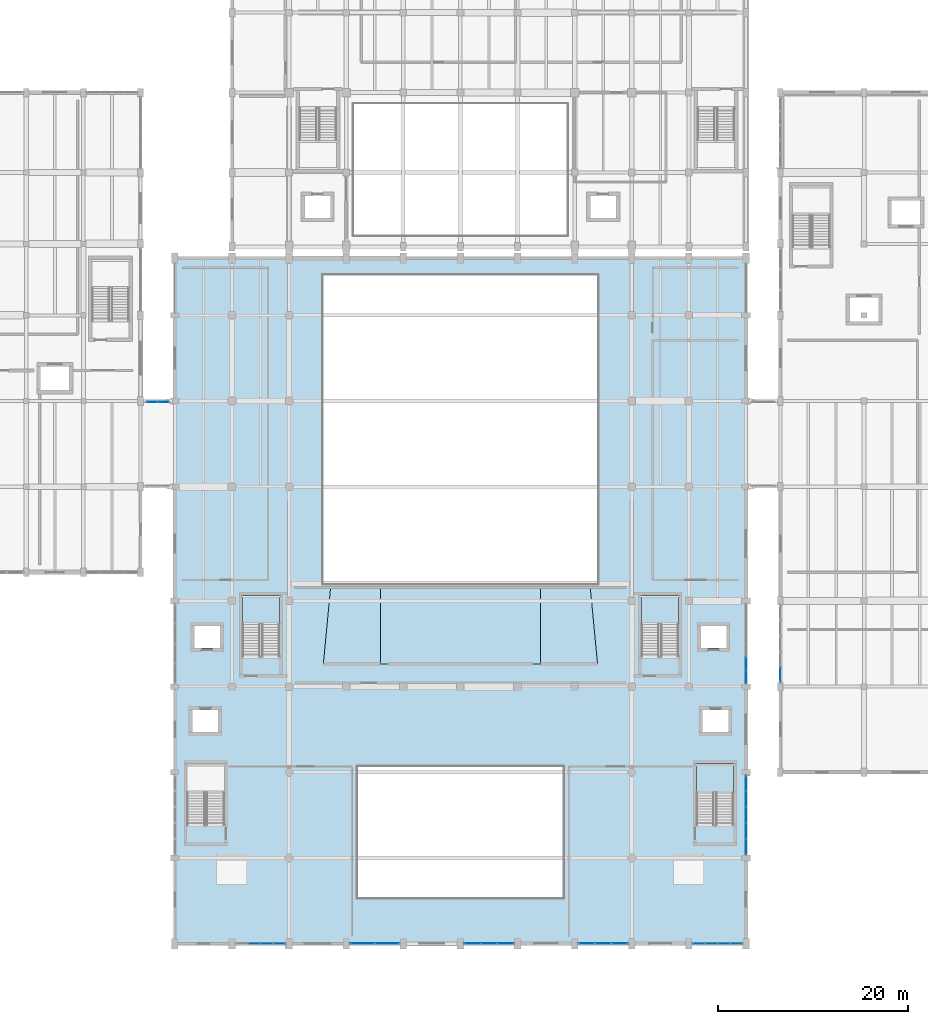
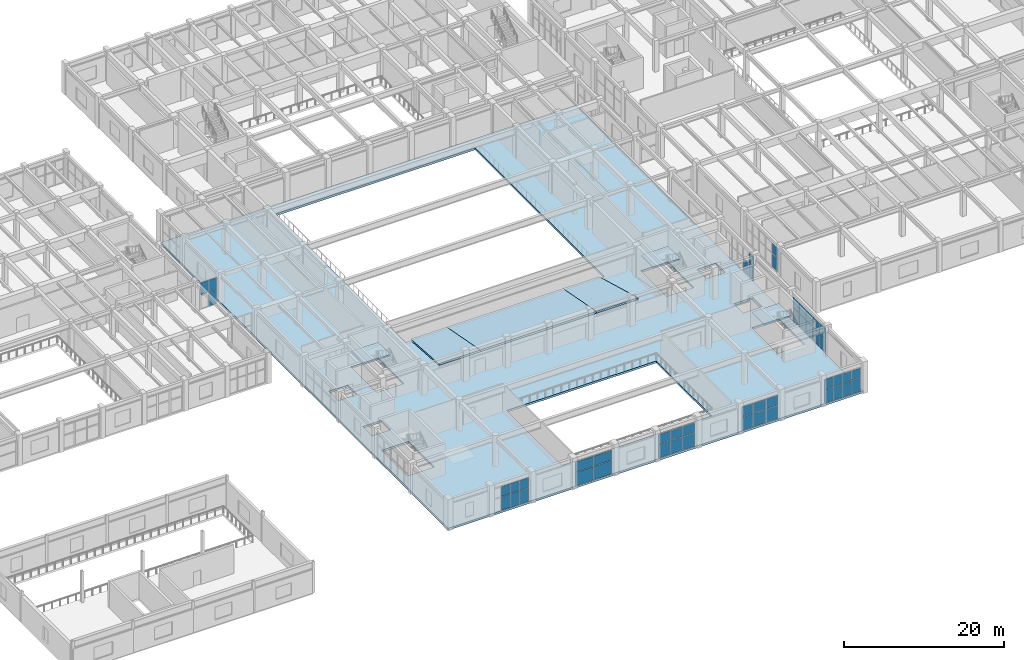
# One storey, part 62 of 96: 48 plates, 7 slabs, 12 elements without a shape of their own.
"""IFC4 building model written with IfcOpenShell, lengths in metres."""

from ifc_helpers import new_model, si_unit, direction, frame, origin, origin_2d, place, context, subcontext, project, spatial, polyline, rectangle, outline, extrude, material, layer, layer_set, type_object, element, aggregate, save


model = new_model("IFC4")

# Units and contexts
model_context = context("Model", 3, precision=1e-05, world=origin(), true_north=direction((0.0, 1.0)))
body_context = subcontext(model_context, "Body", "Model", "MODEL_VIEW")
ifc_project = project(units=[si_unit("LENGTHUNIT", "METRE"), si_unit("AREAUNIT", "SQUARE_METRE"), si_unit("VOLUMEUNIT", "CUBIC_METRE"), si_unit("PLANEANGLEUNIT", "RADIAN"), si_unit("MASSUNIT", "GRAM", prefix="KILO")], contexts=[model_context])

# Site, building, storey
site_placement = place(None, origin())
site = spatial("IfcSite", under=ifc_project, at=site_placement, CompositionType="ELEMENT")
building_placement = place(site_placement, origin())
building = spatial("IfcBuilding", under=site, at=building_placement, Name="Vaelkrest Opera House", CompositionType="ELEMENT")
storey_placement = place(building_placement, frame((0.0, 0.0, 5.39990234375)))
storey = spatial("IfcBuildingStorey", under=building, at=storey_placement, Name="L01", CompositionType="ELEMENT", Elevation=5.39990234375)

# Curtain wall, plates
ifc_material_1 = material(Name="Dark bronze anodized aluminium", Category="aluminium")
ifc_layer_1 = layer(ifc_material_1, 0.179931640625)
ifc_layer_set_1 = layer_set([ifc_layer_1], Name="Dark bronze anodized aluminium")
curtain_wall_type_1 = type_object("IfcCurtainWallType", Name="CW01", PredefinedType="NOTDEFINED", material=ifc_layer_set_1)
curtain_wall_1_placement = place(storey_placement, origin())
curtain_wall_1 = element("IfcCurtainWall", 1, at=curtain_wall_1_placement, inside=storey, type_object=curtain_wall_type_1, Name="Curtain wall CW-L01-029", PredefinedType="NOTDEFINED")
ifc_material_2 = material(Name="Double low-E insulated glazing", Category="glass")
ifc_layer_2 = layer(ifc_material_2, 0.02587890625)
ifc_layer_set_2 = layer_set([ifc_layer_2], Name="Double low-E insulated glazing")
plate_type_1 = type_object("IfcPlateType", Name="CWP01", PredefinedType="CURTAIN_PANEL", material=ifc_layer_set_2)
plate_1_placement = place(storey_placement, frame((30.0, -26.40087890625, 0.06494140625), z_axis=(0.0, 0.0, 1.0), x_axis=(0.0, -1.0, 0.0)))
plate_1 = element("IfcPlate", 2, at=plate_1_placement, type_object=plate_type_1, Name="CW01 panel 5.1", PredefinedType="CURTAIN_PANEL", context=body_context, shape_type="SweptSolid", body=[
    extrude(rectangle(XDim=1.335693359375, YDim=0.02587890625, at=origin_2d()), origin(), (0.0, 0.0, 1.0), 2.052490234375),
])
plate_2_placement = place(storey_placement, frame((30.0, -27.785400390625, 0.06494140625), z_axis=(0.0, 0.0, 1.0), x_axis=(0.0, -1.0, 0.0)))
plate_2 = element("IfcPlate", 3, at=plate_2_placement, type_object=plate_type_1, Name="CW01 panel 6.1", PredefinedType="CURTAIN_PANEL", context=body_context, shape_type="SweptSolid", body=[
    extrude(rectangle(XDim=1.30322265625, YDim=0.02587890625, at=origin_2d()), origin(), (0.0, 0.0, 1.0), 2.052490234375),
])
plate_3_placement = place(storey_placement, frame((30.0, -27.785400390625, 2.1826171875), z_axis=(0.0, 0.0, 1.0), x_axis=(0.0, -1.0, 0.0)))
plate_3 = element("IfcPlate", 4, at=plate_3_placement, type_object=plate_type_1, Name="CW01 panel 6.2", PredefinedType="CURTAIN_PANEL", context=body_context, shape_type="SweptSolid", body=[
    extrude(rectangle(XDim=1.30322265625, YDim=0.02587890625, at=origin_2d()), origin(), (0.0, 0.0, 1.0), 1.576416015625),
])
aggregate(curtain_wall_1, [plate_1, plate_2, plate_3])

ifc_layer_3 = layer(ifc_material_1, 0.18994140625)
ifc_layer_set_3 = layer_set([ifc_layer_3], Name="Dark bronze anodized aluminium")
curtain_wall_type_2 = type_object("IfcCurtainWallType", Name="CW02", PredefinedType="NOTDEFINED", material=ifc_layer_set_3)
curtain_wall_2_placement = place(storey_placement, origin())
curtain_wall_2 = element("IfcCurtainWall", 5, at=curtain_wall_2_placement, inside=storey, type_object=curtain_wall_type_2, Name="Curtain wall CW-L01-020", PredefinedType="NOTDEFINED")
ifc_layer_4 = layer(ifc_material_2, 0.030029296875)
ifc_layer_set_4 = layer_set([ifc_layer_4], Name="Double low-E insulated glazing")
plate_type_2 = type_object("IfcPlateType", Name="CWP02", PredefinedType="CURTAIN_PANEL", material=ifc_layer_set_4)
plate_4_placement = place(storey_placement, frame((28.971435546875, -55.800048828125, 0.070068359375), z_axis=(0.0, 0.0, 1.0), x_axis=(-1.0, 0.0, 0.0)))
plate_4 = element("IfcPlate", 6, at=plate_4_placement, type_object=plate_type_2, Name="CW02 panel 1.1", PredefinedType="CURTAIN_PANEL", context=body_context, shape_type="SweptSolid", body=[
    extrude(rectangle(XDim=1.220947265625, YDim=0.030029296875, at=origin_2d()), origin(), (0.0, 0.0, 1.0), 2.044921875),
])
plate_5_placement = place(storey_placement, frame((28.971435546875, -55.800048828125, 2.18505859375), z_axis=(0.0, 0.0, 1.0), x_axis=(-1.0, 0.0, 0.0)))
plate_5 = element("IfcPlate", 7, at=plate_5_placement, type_object=plate_type_2, Name="CW02 panel 1.2", PredefinedType="CURTAIN_PANEL", context=body_context, shape_type="SweptSolid", body=[
    extrude(rectangle(XDim=1.220947265625, YDim=0.030029296875, at=origin_2d()), origin(), (0.0, 0.0, 1.0), 1.485107421875),
])
plate_6_placement = place(storey_placement, frame((27.6630859375, -55.800048828125, 0.070068359375), z_axis=(0.0, 0.0, 1.0), x_axis=(-1.0, 0.0, 0.0)))
plate_6 = element("IfcPlate", 8, at=plate_6_placement, type_object=plate_type_2, Name="CW02 panel 2.1", PredefinedType="CURTAIN_PANEL", context=body_context, shape_type="SweptSolid", body=[
    extrude(rectangle(XDim=1.256103515625, YDim=0.030029296875, at=origin_2d()), origin(), (0.0, 0.0, 1.0), 2.044921875),
])
plate_7_placement = place(storey_placement, frame((27.6630859375, -55.800048828125, 2.18505859375), z_axis=(0.0, 0.0, 1.0), x_axis=(-1.0, 0.0, 0.0)))
plate_7 = element("IfcPlate", 9, at=plate_7_placement, type_object=plate_type_2, Name="CW02 panel 2.2", PredefinedType="CURTAIN_PANEL", context=body_context, shape_type="SweptSolid", body=[
    extrude(rectangle(XDim=1.256103515625, YDim=0.030029296875, at=origin_2d()), origin(), (0.0, 0.0, 1.0), 1.485107421875),
])
plate_8_placement = place(storey_placement, frame((26.3369140625, -55.800048828125, 0.070068359375), z_axis=(0.0, 0.0, 1.0), x_axis=(-1.0, 0.0, 0.0)))
plate_8 = element("IfcPlate", 10, at=plate_8_placement, type_object=plate_type_2, Name="CW02 panel 3.1", PredefinedType="CURTAIN_PANEL", context=body_context, shape_type="SweptSolid", body=[
    extrude(rectangle(XDim=1.256103515625, YDim=0.030029296875, at=origin_2d()), origin(), (0.0, 0.0, 1.0), 2.044921875),
])
plate_9_placement = place(storey_placement, frame((26.3369140625, -55.800048828125, 2.18505859375), z_axis=(0.0, 0.0, 1.0), x_axis=(-1.0, 0.0, 0.0)))
plate_9 = element("IfcPlate", 11, at=plate_9_placement, type_object=plate_type_2, Name="CW02 panel 3.2", PredefinedType="CURTAIN_PANEL", context=body_context, shape_type="SweptSolid", body=[
    extrude(rectangle(XDim=1.256103515625, YDim=0.030029296875, at=origin_2d()), origin(), (0.0, 0.0, 1.0), 1.485107421875),
])
plate_10_placement = place(storey_placement, frame((25.028564453125, -55.800048828125, 0.070068359375), z_axis=(0.0, 0.0, 1.0), x_axis=(-1.0, 0.0, 0.0)))
plate_10 = element("IfcPlate", 12, at=plate_10_placement, type_object=plate_type_2, Name="CW02 panel 4.1", PredefinedType="CURTAIN_PANEL", context=body_context, shape_type="SweptSolid", body=[
    extrude(rectangle(XDim=1.220947265625, YDim=0.030029296875, at=origin_2d()), origin(), (0.0, 0.0, 1.0), 2.044921875),
])
plate_11_placement = place(storey_placement, frame((25.028564453125, -55.800048828125, 2.18505859375), z_axis=(0.0, 0.0, 1.0), x_axis=(-1.0, 0.0, 0.0)))
plate_11 = element("IfcPlate", 13, at=plate_11_placement, type_object=plate_type_2, Name="CW02 panel 4.2", PredefinedType="CURTAIN_PANEL", context=body_context, shape_type="SweptSolid", body=[
    extrude(rectangle(XDim=1.220947265625, YDim=0.030029296875, at=origin_2d()), origin(), (0.0, 0.0, 1.0), 1.485107421875),
])
aggregate(curtain_wall_2, [plate_4, plate_5, plate_6, plate_7, plate_8, plate_9, plate_10, plate_11])

curtain_wall_3_placement = place(storey_placement, origin())
curtain_wall_3 = element("IfcCurtainWall", 14, at=curtain_wall_3_placement, inside=storey, type_object=curtain_wall_type_2, Name="Curtain wall CW-L01-024", PredefinedType="NOTDEFINED")
plate_12_placement = place(storey_placement, frame((-19.028564453125, -55.800048828125, 0.070068359375), z_axis=(0.0, 0.0, 1.0), x_axis=(-1.0, 0.0, 0.0)))
plate_12 = element("IfcPlate", 15, at=plate_12_placement, type_object=plate_type_2, Name="CW02 panel 1.1", PredefinedType="CURTAIN_PANEL", context=body_context, shape_type="SweptSolid", body=[
    extrude(rectangle(XDim=1.220947265625, YDim=0.030029296875, at=origin_2d()), origin(), (0.0, 0.0, 1.0), 2.044921875),
])
plate_13_placement = place(storey_placement, frame((-19.028564453125, -55.800048828125, 2.18505859375), z_axis=(0.0, 0.0, 1.0), x_axis=(-1.0, 0.0, 0.0)))
plate_13 = element("IfcPlate", 16, at=plate_13_placement, type_object=plate_type_2, Name="CW02 panel 1.2", PredefinedType="CURTAIN_PANEL", context=body_context, shape_type="SweptSolid", body=[
    extrude(rectangle(XDim=1.220947265625, YDim=0.030029296875, at=origin_2d()), origin(), (0.0, 0.0, 1.0), 1.485107421875),
])
plate_14_placement = place(storey_placement, frame((-20.3369140625, -55.800048828125, 0.070068359375), z_axis=(0.0, 0.0, 1.0), x_axis=(-1.0, 0.0, 0.0)))
plate_14 = element("IfcPlate", 17, at=plate_14_placement, type_object=plate_type_2, Name="CW02 panel 2.1", PredefinedType="CURTAIN_PANEL", context=body_context, shape_type="SweptSolid", body=[
    extrude(rectangle(XDim=1.256103515625, YDim=0.030029296875, at=origin_2d()), origin(), (0.0, 0.0, 1.0), 2.044921875),
])
plate_15_placement = place(storey_placement, frame((-20.3369140625, -55.800048828125, 2.18505859375), z_axis=(0.0, 0.0, 1.0), x_axis=(-1.0, 0.0, 0.0)))
plate_15 = element("IfcPlate", 18, at=plate_15_placement, type_object=plate_type_2, Name="CW02 panel 2.2", PredefinedType="CURTAIN_PANEL", context=body_context, shape_type="SweptSolid", body=[
    extrude(rectangle(XDim=1.256103515625, YDim=0.030029296875, at=origin_2d()), origin(), (0.0, 0.0, 1.0), 1.485107421875),
])
plate_16_placement = place(storey_placement, frame((-21.6630859375, -55.800048828125, 0.070068359375), z_axis=(0.0, 0.0, 1.0), x_axis=(-1.0, 0.0, 0.0)))
plate_16 = element("IfcPlate", 19, at=plate_16_placement, type_object=plate_type_2, Name="CW02 panel 3.1", PredefinedType="CURTAIN_PANEL", context=body_context, shape_type="SweptSolid", body=[
    extrude(rectangle(XDim=1.256103515625, YDim=0.030029296875, at=origin_2d()), origin(), (0.0, 0.0, 1.0), 2.044921875),
])
plate_17_placement = place(storey_placement, frame((-21.6630859375, -55.800048828125, 2.18505859375), z_axis=(0.0, 0.0, 1.0), x_axis=(-1.0, 0.0, 0.0)))
plate_17 = element("IfcPlate", 20, at=plate_17_placement, type_object=plate_type_2, Name="CW02 panel 3.2", PredefinedType="CURTAIN_PANEL", context=body_context, shape_type="SweptSolid", body=[
    extrude(rectangle(XDim=1.256103515625, YDim=0.030029296875, at=origin_2d()), origin(), (0.0, 0.0, 1.0), 1.485107421875),
])
aggregate(curtain_wall_3, [plate_12, plate_13, plate_14, plate_15, plate_16, plate_17])

curtain_wall_4_placement = place(storey_placement, origin())
curtain_wall_4 = element("IfcCurtainWall", 21, at=curtain_wall_4_placement, inside=storey, type_object=curtain_wall_type_2, Name="Curtain wall CW-L01-177", PredefinedType="NOTDEFINED")
plate_18_placement = place(storey_placement, frame((-32.392578125, 1.10009765625, 2.18505859375), z_axis=(0.0, 0.0, 1.0), x_axis=(1.0, 0.0, 0.0)))
plate_18 = element("IfcPlate", 22, at=plate_18_placement, type_object=plate_type_2, Name="CW02 panel 1.2", PredefinedType="CURTAIN_PANEL", context=body_context, shape_type="SweptSolid", body=[
    extrude(rectangle(XDim=1.114990234375, YDim=0.030029296875, at=origin_2d()), origin(), (0.0, 0.0, 1.0), 1.824951171875),
])
plate_19_placement = place(storey_placement, frame((-31.20751953125, 1.10009765625, 0.070068359375), z_axis=(0.0, 0.0, 1.0), x_axis=(1.0, 0.0, 0.0)))
plate_19 = element("IfcPlate", 23, at=plate_19_placement, type_object=plate_type_2, Name="CW02 panel 2.1", PredefinedType="CURTAIN_PANEL", context=body_context, shape_type="SweptSolid", body=[
    extrude(rectangle(XDim=1.114990234375, YDim=0.030029296875, at=origin_2d()), origin(), (0.0, 0.0, 1.0), 2.044921875),
])
plate_20_placement = place(storey_placement, frame((-31.20751953125, 1.10009765625, 2.18505859375), z_axis=(0.0, 0.0, 1.0), x_axis=(1.0, 0.0, 0.0)))
plate_20 = element("IfcPlate", 24, at=plate_20_placement, type_object=plate_type_2, Name="CW02 panel 2.2", PredefinedType="CURTAIN_PANEL", context=body_context, shape_type="SweptSolid", body=[
    extrude(rectangle(XDim=1.114990234375, YDim=0.030029296875, at=origin_2d()), origin(), (0.0, 0.0, 1.0), 1.824951171875),
])
aggregate(curtain_wall_4, [plate_18, plate_19, plate_20])

ifc_layer_5 = layer(ifc_material_1, 0.199951171875)
ifc_layer_set_5 = layer_set([ifc_layer_5], Name="Dark bronze anodized aluminium")
curtain_wall_type_3 = type_object("IfcCurtainWallType", Name="CW03", PredefinedType="NOTDEFINED", material=ifc_layer_set_5)
curtain_wall_5_placement = place(storey_placement, origin())
curtain_wall_5 = element("IfcCurtainWall", 25, at=curtain_wall_5_placement, inside=storey, type_object=curtain_wall_type_3, Name="Curtain wall CW-L01-030", PredefinedType="NOTDEFINED")
ifc_layer_6 = layer(ifc_material_2, 0.033935546875)
ifc_layer_set_6 = layer_set([ifc_layer_6], Name="Double low-E insulated glazing")
plate_type_3 = type_object("IfcPlateType", Name="CWP03", PredefinedType="CURTAIN_PANEL", material=ifc_layer_set_6)
plate_21_placement = place(storey_placement, frame((30.0, -38.95703125, 0.074951171875), z_axis=(0.0, 0.0, 1.0), x_axis=(0.0, -1.0, 0.0)))
plate_21 = element("IfcPlate", 26, at=plate_21_placement, type_object=plate_type_3, Name="CW03 panel 1.1", PredefinedType="CURTAIN_PANEL", context=body_context, shape_type="SweptSolid", body=[
    extrude(rectangle(XDim=1.568359375, YDim=0.033935546875, at=origin_2d()), origin(), (0.0, 0.0, 1.0), 2.03759765625),
])
plate_22_placement = place(storey_placement, frame((30.0, -38.95703125, 2.1875), z_axis=(0.0, 0.0, 1.0), x_axis=(0.0, -1.0, 0.0)))
plate_22 = element("IfcPlate", 27, at=plate_22_placement, type_object=plate_type_3, Name="CW03 panel 1.2", PredefinedType="CURTAIN_PANEL", context=body_context, shape_type="SweptSolid", body=[
    extrude(rectangle(XDim=1.568359375, YDim=0.033935546875, at=origin_2d()), origin(), (0.0, 0.0, 1.0), 1.5615234375),
])
plate_23_placement = place(storey_placement, frame((30.0, -40.619140625, 0.074951171875), z_axis=(0.0, 0.0, 1.0), x_axis=(0.0, -1.0, 0.0)))
plate_23 = element("IfcPlate", 28, at=plate_23_placement, type_object=plate_type_3, Name="CW03 panel 2.1", PredefinedType="CURTAIN_PANEL", context=body_context, shape_type="SweptSolid", body=[
    extrude(rectangle(XDim=1.605712890625, YDim=0.033935546875, at=origin_2d()), origin(), (0.0, 0.0, 1.0), 2.03759765625),
])
plate_24_placement = place(storey_placement, frame((30.0, -40.619140625, 2.1875), z_axis=(0.0, 0.0, 1.0), x_axis=(0.0, -1.0, 0.0)))
plate_24 = element("IfcPlate", 29, at=plate_24_placement, type_object=plate_type_3, Name="CW03 panel 2.2", PredefinedType="CURTAIN_PANEL", context=body_context, shape_type="SweptSolid", body=[
    extrude(rectangle(XDim=1.605712890625, YDim=0.033935546875, at=origin_2d()), origin(), (0.0, 0.0, 1.0), 1.5615234375),
])
plate_25_placement = place(storey_placement, frame((30.0, -42.300048828125, 0.074951171875), z_axis=(0.0, 0.0, 1.0), x_axis=(0.0, -1.0, 0.0)))
plate_25 = element("IfcPlate", 30, at=plate_25_placement, type_object=plate_type_3, Name="CW03 panel 3.1", PredefinedType="CURTAIN_PANEL", context=body_context, shape_type="SweptSolid", body=[
    extrude(rectangle(XDim=1.605712890625, YDim=0.033935546875, at=origin_2d()), origin(), (0.0, 0.0, 1.0), 2.03759765625),
])
plate_26_placement = place(storey_placement, frame((30.0, -42.300048828125, 2.1875), z_axis=(0.0, 0.0, 1.0), x_axis=(0.0, -1.0, 0.0)))
plate_26 = element("IfcPlate", 31, at=plate_26_placement, type_object=plate_type_3, Name="CW03 panel 3.2", PredefinedType="CURTAIN_PANEL", context=body_context, shape_type="SweptSolid", body=[
    extrude(rectangle(XDim=1.605712890625, YDim=0.033935546875, at=origin_2d()), origin(), (0.0, 0.0, 1.0), 1.5615234375),
])
plate_27_placement = place(storey_placement, frame((30.0, -43.980712890625, 0.074951171875), z_axis=(0.0, 0.0, 1.0), x_axis=(0.0, -1.0, 0.0)))
plate_27 = element("IfcPlate", 32, at=plate_27_placement, type_object=plate_type_3, Name="CW03 panel 4.1", PredefinedType="CURTAIN_PANEL", context=body_context, shape_type="SweptSolid", body=[
    extrude(rectangle(XDim=1.605712890625, YDim=0.033935546875, at=origin_2d()), origin(), (0.0, 0.0, 1.0), 2.03759765625),
])
plate_28_placement = place(storey_placement, frame((30.0, -43.980712890625, 2.1875), z_axis=(0.0, 0.0, 1.0), x_axis=(0.0, -1.0, 0.0)))
plate_28 = element("IfcPlate", 33, at=plate_28_placement, type_object=plate_type_3, Name="CW03 panel 4.2", PredefinedType="CURTAIN_PANEL", context=body_context, shape_type="SweptSolid", body=[
    extrude(rectangle(XDim=1.605712890625, YDim=0.033935546875, at=origin_2d()), origin(), (0.0, 0.0, 1.0), 1.5615234375),
])
plate_29_placement = place(storey_placement, frame((30.0, -45.642822265625, 0.074951171875), z_axis=(0.0, 0.0, 1.0), x_axis=(0.0, -1.0, 0.0)))
plate_29 = element("IfcPlate", 34, at=plate_29_placement, type_object=plate_type_3, Name="CW03 panel 5.1", PredefinedType="CURTAIN_PANEL", context=body_context, shape_type="SweptSolid", body=[
    extrude(rectangle(XDim=1.568359375, YDim=0.033935546875, at=origin_2d()), origin(), (0.0, 0.0, 1.0), 2.03759765625),
])
plate_30_placement = place(storey_placement, frame((30.0, -45.642822265625, 2.1875), z_axis=(0.0, 0.0, 1.0), x_axis=(0.0, -1.0, 0.0)))
plate_30 = element("IfcPlate", 35, at=plate_30_placement, type_object=plate_type_3, Name="CW03 panel 5.2", PredefinedType="CURTAIN_PANEL", context=body_context, shape_type="SweptSolid", body=[
    extrude(rectangle(XDim=1.568359375, YDim=0.033935546875, at=origin_2d()), origin(), (0.0, 0.0, 1.0), 1.5615234375),
])
aggregate(curtain_wall_5, [plate_21, plate_22, plate_23, plate_24, plate_25, plate_26, plate_27, plate_28, plate_29, plate_30])

ifc_layer_7 = layer(ifc_material_1, 0.2099609375)
ifc_layer_set_7 = layer_set([ifc_layer_7], Name="Dark bronze anodized aluminium")
curtain_wall_type_4 = type_object("IfcCurtainWallType", Name="CW04", PredefinedType="NOTDEFINED", material=ifc_layer_set_7)
curtain_wall_6_placement = place(storey_placement, origin())
curtain_wall_6 = element("IfcCurtainWall", 36, at=curtain_wall_6_placement, inside=storey, type_object=curtain_wall_type_4, Name="Curtain wall CW-L01-021", PredefinedType="NOTDEFINED")
ifc_layer_8 = layer(ifc_material_2, 0.0380859375)
ifc_layer_set_8 = layer_set([ifc_layer_8], Name="Double low-E insulated glazing")
plate_type_4 = type_object("IfcPlateType", Name="CWP04", PredefinedType="CURTAIN_PANEL", material=ifc_layer_set_8)
plate_31_placement = place(storey_placement, frame((16.748046875, -55.800048828125, 0.080078125), z_axis=(0.0, 0.0, 1.0), x_axis=(-1.0, 0.0, 0.0)))
plate_31 = element("IfcPlate", 37, at=plate_31_placement, type_object=plate_type_4, Name="CW04 panel 1.1", PredefinedType="CURTAIN_PANEL", context=body_context, shape_type="SweptSolid", body=[
    extrude(rectangle(XDim=1.64794921875, YDim=0.0380859375, at=origin_2d()), origin(), (0.0, 0.0, 1.0), 2.030029296875),
])
plate_32_placement = place(storey_placement, frame((16.748046875, -55.800048828125, 2.18994140625), z_axis=(0.0, 0.0, 1.0), x_axis=(-1.0, 0.0, 0.0)))
plate_32 = element("IfcPlate", 38, at=plate_32_placement, type_object=plate_type_4, Name="CW04 panel 1.2", PredefinedType="CURTAIN_PANEL", context=body_context, shape_type="SweptSolid", body=[
    extrude(rectangle(XDim=1.64794921875, YDim=0.0380859375, at=origin_2d()), origin(), (0.0, 0.0, 1.0), 1.469970703125),
])
plate_33_placement = place(storey_placement, frame((15.0, -55.800048828125, 0.080078125), z_axis=(0.0, 0.0, 1.0), x_axis=(-1.0, 0.0, 0.0)))
plate_33 = element("IfcPlate", 39, at=plate_33_placement, type_object=plate_type_4, Name="CW04 panel 2.1", PredefinedType="CURTAIN_PANEL", context=body_context, shape_type="SweptSolid", body=[
    extrude(rectangle(XDim=1.68798828125, YDim=0.0380859375, at=origin_2d()), origin(), (0.0, 0.0, 1.0), 2.030029296875),
])
plate_34_placement = place(storey_placement, frame((15.0, -55.800048828125, 2.18994140625), z_axis=(0.0, 0.0, 1.0), x_axis=(-1.0, 0.0, 0.0)))
plate_34 = element("IfcPlate", 40, at=plate_34_placement, type_object=plate_type_4, Name="CW04 panel 2.2", PredefinedType="CURTAIN_PANEL", context=body_context, shape_type="SweptSolid", body=[
    extrude(rectangle(XDim=1.68798828125, YDim=0.0380859375, at=origin_2d()), origin(), (0.0, 0.0, 1.0), 1.469970703125),
])
plate_35_placement = place(storey_placement, frame((13.251953125, -55.800048828125, 0.080078125), z_axis=(0.0, 0.0, 1.0), x_axis=(-1.0, 0.0, 0.0)))
plate_35 = element("IfcPlate", 41, at=plate_35_placement, type_object=plate_type_4, Name="CW04 panel 3.1", PredefinedType="CURTAIN_PANEL", context=body_context, shape_type="SweptSolid", body=[
    extrude(rectangle(XDim=1.64794921875, YDim=0.0380859375, at=origin_2d()), origin(), (0.0, 0.0, 1.0), 2.030029296875),
])
plate_36_placement = place(storey_placement, frame((13.251953125, -55.800048828125, 2.18994140625), z_axis=(0.0, 0.0, 1.0), x_axis=(-1.0, 0.0, 0.0)))
plate_36 = element("IfcPlate", 42, at=plate_36_placement, type_object=plate_type_4, Name="CW04 panel 3.2", PredefinedType="CURTAIN_PANEL", context=body_context, shape_type="SweptSolid", body=[
    extrude(rectangle(XDim=1.64794921875, YDim=0.0380859375, at=origin_2d()), origin(), (0.0, 0.0, 1.0), 1.469970703125),
])
aggregate(curtain_wall_6, [plate_31, plate_32, plate_33, plate_34, plate_35, plate_36])

curtain_wall_7_placement = place(storey_placement, origin())
curtain_wall_7 = element("IfcCurtainWall", 43, at=curtain_wall_7_placement, inside=storey, type_object=curtain_wall_type_4, Name="Curtain wall CW-L01-154", PredefinedType="NOTDEFINED")
plate_37_placement = place(storey_placement, frame((33.60009765625, -27.521484375, 0.080078125), z_axis=(0.0, 0.0, 1.0), x_axis=(0.0, 1.0, 0.0)))
plate_37 = element("IfcPlate", 44, at=plate_37_placement, type_object=plate_type_4, Name="CW04 panel 1.1", PredefinedType="CURTAIN_PANEL", context=body_context, shape_type="SweptSolid", body=[
    extrude(rectangle(XDim=1.500732421875, YDim=0.0380859375, at=origin_2d()), origin(), (0.0, 0.0, 1.0), 2.030029296875),
])
plate_38_placement = place(storey_placement, frame((33.60009765625, -27.521484375, 2.18994140625), z_axis=(0.0, 0.0, 1.0), x_axis=(0.0, 1.0, 0.0)))
plate_38 = element("IfcPlate", 45, at=plate_38_placement, type_object=plate_type_4, Name="CW04 panel 1.2", PredefinedType="CURTAIN_PANEL", context=body_context, shape_type="SweptSolid", body=[
    extrude(rectangle(XDim=1.500732421875, YDim=0.0380859375, at=origin_2d()), origin(), (0.0, 0.0, 1.0), 1.553955078125),
])
aggregate(curtain_wall_7, [plate_37, plate_38])

ifc_layer_9 = layer(ifc_material_1, 0.22998046875)
ifc_layer_set_9 = layer_set([ifc_layer_9], Name="Dark bronze anodized aluminium")
curtain_wall_type_5 = type_object("IfcCurtainWallType", Name="CW06", PredefinedType="NOTDEFINED", material=ifc_layer_set_9)
curtain_wall_8_placement = place(storey_placement, origin())
curtain_wall_8 = element("IfcCurtainWall", 46, at=curtain_wall_8_placement, inside=storey, type_object=curtain_wall_type_5, Name="Curtain wall CW-L01-022", PredefinedType="NOTDEFINED")
ifc_material_3 = material(Name="Dark bronze anodized aluminium spandrel", Category="aluminium")
ifc_layer_10 = layer(ifc_material_3, 0.0458984375)
ifc_layer_set_10 = layer_set([ifc_layer_10], Name="Dark bronze anodized aluminium spandrel")
plate_type_5 = type_object("IfcPlateType", Name="CWP06", PredefinedType="CURTAIN_PANEL", material=ifc_layer_set_10)
plate_39_placement = place(storey_placement, frame((4.75048828125, -55.800048828125, 0.080078125), z_axis=(0.0, 0.0, 1.0), x_axis=(-1.0, 0.0, 0.0)))
plate_39 = element("IfcPlate", 47, at=plate_39_placement, type_object=plate_type_5, Name="CW06 panel 1.1", PredefinedType="CURTAIN_PANEL", context=body_context, shape_type="SweptSolid", body=[
    extrude(rectangle(XDim=1.6630859375, YDim=0.0458984375, at=origin_2d()), origin(), (0.0, 0.0, 1.0), 2.030029296875),
])
plate_40_placement = place(storey_placement, frame((4.75048828125, -55.800048828125, 2.18994140625), z_axis=(0.0, 0.0, 1.0), x_axis=(-1.0, 0.0, 0.0)))
plate_40 = element("IfcPlate", 48, at=plate_40_placement, type_object=plate_type_5, Name="CW06 panel 1.2", PredefinedType="CURTAIN_PANEL", context=body_context, shape_type="SweptSolid", body=[
    extrude(rectangle(XDim=1.6630859375, YDim=0.0458984375, at=origin_2d()), origin(), (0.0, 0.0, 1.0), 1.469970703125),
])
plate_41_placement = place(storey_placement, frame((3.0, -55.800048828125, 0.080078125), z_axis=(0.0, 0.0, 1.0), x_axis=(-1.0, 0.0, 0.0)))
plate_41 = element("IfcPlate", 49, at=plate_41_placement, type_object=plate_type_5, Name="CW06 panel 2.1", PredefinedType="CURTAIN_PANEL", context=body_context, shape_type="SweptSolid", body=[
    extrude(rectangle(XDim=1.697998046875, YDim=0.0458984375, at=origin_2d()), origin(), (0.0, 0.0, 1.0), 2.030029296875),
])
plate_42_placement = place(storey_placement, frame((3.0, -55.800048828125, 2.18994140625), z_axis=(0.0, 0.0, 1.0), x_axis=(-1.0, 0.0, 0.0)))
plate_42 = element("IfcPlate", 50, at=plate_42_placement, type_object=plate_type_5, Name="CW06 panel 2.2", PredefinedType="CURTAIN_PANEL", context=body_context, shape_type="SweptSolid", body=[
    extrude(rectangle(XDim=1.697998046875, YDim=0.0458984375, at=origin_2d()), origin(), (0.0, 0.0, 1.0), 1.469970703125),
])
plate_43_placement = place(storey_placement, frame((1.24951171875, -55.800048828125, 0.080078125), z_axis=(0.0, 0.0, 1.0), x_axis=(-1.0, 0.0, 0.0)))
plate_43 = element("IfcPlate", 51, at=plate_43_placement, type_object=plate_type_5, Name="CW06 panel 3.1", PredefinedType="CURTAIN_PANEL", context=body_context, shape_type="SweptSolid", body=[
    extrude(rectangle(XDim=1.6630859375, YDim=0.0458984375, at=origin_2d()), origin(), (0.0, 0.0, 1.0), 2.030029296875),
])
plate_44_placement = place(storey_placement, frame((1.24951171875, -55.800048828125, 2.18994140625), z_axis=(0.0, 0.0, 1.0), x_axis=(-1.0, 0.0, 0.0)))
plate_44 = element("IfcPlate", 52, at=plate_44_placement, type_object=plate_type_5, Name="CW06 panel 3.2", PredefinedType="CURTAIN_PANEL", context=body_context, shape_type="SweptSolid", body=[
    extrude(rectangle(XDim=1.6630859375, YDim=0.0458984375, at=origin_2d()), origin(), (0.0, 0.0, 1.0), 1.469970703125),
])
aggregate(curtain_wall_8, [plate_39, plate_40, plate_41, plate_42, plate_43, plate_44])

ifc_layer_11 = layer(ifc_material_1, 0.25)
ifc_layer_set_11 = layer_set([ifc_layer_11], Name="Dark bronze anodized aluminium")
curtain_wall_type_6 = type_object("IfcCurtainWallType", Name="CW08", PredefinedType="NOTDEFINED", material=ifc_layer_set_11)
curtain_wall_9_placement = place(storey_placement, origin())
curtain_wall_9 = element("IfcCurtainWall", 53, at=curtain_wall_9_placement, inside=storey, type_object=curtain_wall_type_6, Name="Curtain wall CW-L01-023", PredefinedType="NOTDEFINED")
ifc_layer_12 = layer(ifc_material_3, 0.05810546875)
ifc_layer_set_12 = layer_set([ifc_layer_12], Name="Dark bronze anodized aluminium spandrel")
plate_type_6 = type_object("IfcPlateType", Name="CWP08", PredefinedType="CURTAIN_PANEL", material=ifc_layer_set_12)
plate_45_placement = place(storey_placement, frame((-7.694091796875, -55.800048828125, 0.070068359375), z_axis=(0.0, 0.0, 1.0), x_axis=(-1.0, 0.0, 0.0)))
plate_45 = element("IfcPlate", 54, at=plate_45_placement, type_object=plate_type_6, Name="CW08 panel 1.1", PredefinedType="CURTAIN_PANEL", context=body_context, shape_type="SweptSolid", body=[
    extrude(rectangle(XDim=2.531982421875, YDim=0.05810546875, at=origin_2d()), origin(), (0.0, 0.0, 1.0), 2.044921875),
])
plate_46_placement = place(storey_placement, frame((-7.694091796875, -55.800048828125, 2.18505859375), z_axis=(0.0, 0.0, 1.0), x_axis=(-1.0, 0.0, 0.0)))
plate_46 = element("IfcPlate", 55, at=plate_46_placement, type_object=plate_type_6, Name="CW08 panel 1.2", PredefinedType="CURTAIN_PANEL", context=body_context, shape_type="SweptSolid", body=[
    extrude(rectangle(XDim=2.531982421875, YDim=0.05810546875, at=origin_2d()), origin(), (0.0, 0.0, 1.0), 1.485107421875),
])
plate_47_placement = place(storey_placement, frame((-10.305908203125, -55.800048828125, 0.070068359375), z_axis=(0.0, 0.0, 1.0), x_axis=(-1.0, 0.0, 0.0)))
plate_47 = element("IfcPlate", 56, at=plate_47_placement, type_object=plate_type_6, Name="CW08 panel 2.1", PredefinedType="CURTAIN_PANEL", context=body_context, shape_type="SweptSolid", body=[
    extrude(rectangle(XDim=2.531982421875, YDim=0.05810546875, at=origin_2d()), origin(), (0.0, 0.0, 1.0), 2.044921875),
])
plate_48_placement = place(storey_placement, frame((-10.305908203125, -55.800048828125, 2.18505859375), z_axis=(0.0, 0.0, 1.0), x_axis=(-1.0, 0.0, 0.0)))
plate_48 = element("IfcPlate", 57, at=plate_48_placement, type_object=plate_type_6, Name="CW08 panel 2.2", PredefinedType="CURTAIN_PANEL", context=body_context, shape_type="SweptSolid", body=[
    extrude(rectangle(XDim=2.531982421875, YDim=0.05810546875, at=origin_2d()), origin(), (0.0, 0.0, 1.0), 1.485107421875),
])
aggregate(curtain_wall_9, [plate_45, plate_46, plate_47, plate_48])

# Slab
ifc_material_4 = material(Name="Concrete C40/50", Category="concrete")
ifc_layer_13 = layer(ifc_material_4, 0.304931640625)
ifc_layer_set_13 = layer_set([ifc_layer_13], Name="Concrete C40/50")
slab_type_1 = type_object("IfcSlabType", Name="FS04", PredefinedType="FLOOR", material=ifc_layer_set_13)
slab_1_placement = place(storey_placement, frame((0.0, 0.0, -0.304931640625)))
element("IfcSlab", 58, at=slab_1_placement, inside=storey, type_object=slab_type_1, Name="Floor slab SLB-V1-L01-004", PredefinedType="FLOOR", context=body_context, shape_type="SweptSolid", body=[
    extrude(outline(polyline([(-30.0, -55.800048828125), (30.0, -55.800048828125), (30.0, 16.199951171875), (-30.0, 16.199951171875), (-30.0, -55.800048828125)]), holes=[polyline([(-14.39990234375, -18.0), (14.39990234375, -18.0), (14.39990234375, 14.39990234375), (-14.39990234375, 14.39990234375), (-14.39990234375, -18.0)]), polyline([(-10.800048828125, -51.0), (10.800048828125, -51.0), (10.800048828125, -37.199951171875), (-10.800048828125, -37.199951171875), (-10.800048828125, -51.0)]), polyline([(-19.0, -25.64990234375), (-19.0, -19.199951171875), (-22.89990234375, -19.199951171875), (-22.89990234375, -25.64990234375), (-19.0, -25.64990234375)]), polyline([(22.89990234375, -25.64990234375), (22.89990234375, -19.199951171875), (19.0, -19.199951171875), (19.0, -25.64990234375), (22.89990234375, -25.64990234375)]), polyline([(-24.800048828125, -43.35009765625), (-24.800048828125, -36.89990234375), (-28.699951171875, -36.89990234375), (-28.699951171875, -43.35009765625), (-24.800048828125, -43.35009765625)]), polyline([(28.699951171875, -43.35009765625), (28.699951171875, -36.89990234375), (24.800048828125, -36.89990234375), (24.800048828125, -43.35009765625), (28.699951171875, -43.35009765625)]), polyline([(-27.949951171875, -24.75), (-25.25, -24.75), (-25.25, -22.449951171875), (-27.949951171875, -22.449951171875), (-27.949951171875, -24.75)]), polyline([(25.25, -24.75), (27.949951171875, -24.75), (27.949951171875, -22.449951171875), (25.25, -22.449951171875), (25.25, -24.75)]), polyline([(-28.14990234375, -33.550048828125), (-25.449951171875, -33.550048828125), (-25.449951171875, -31.25), (-28.14990234375, -31.25), (-28.14990234375, -33.550048828125)]), polyline([(25.449951171875, -33.550048828125), (28.14990234375, -33.550048828125), (28.14990234375, -31.25), (25.449951171875, -31.25), (25.449951171875, -33.550048828125)])]), origin(), (0.0, 0.0, 1.0), 0.304931640625),
])

# Stair, slab
stair_type_1 = type_object("IfcStairType", Name="ST01", PredefinedType="TWO_STRAIGHT_RUN_STAIR", material=ifc_material_4)
stair_1_placement = place(storey_placement, origin())
stair_1 = element("IfcStair", 59, at=stair_1_placement, inside=storey, type_object=stair_type_1, Name="L01 Protected exit stair ST01", PredefinedType="TWO_STRAIGHT_RUN_STAIR")
ifc_layer_14 = layer(ifc_material_4, 0.199951171875)
ifc_layer_set_14 = layer_set([ifc_layer_14], Name="Concrete C40/50")
slab_type_2 = type_object("IfcSlabType", Name="SLD01", PredefinedType="LANDING", material=ifc_layer_set_14)
slab_2_placement = place(storey_placement, frame((0.0, 0.0, 2.2001953125)))
slab_2 = element("IfcSlab", 60, at=slab_2_placement, type_object=slab_type_2, Name="ST01 landing 1", PredefinedType="LANDING", context=body_context, shape_type="SweptSolid", body=[
    extrude(outline(polyline([(-19.0, -22.2900390625), (-19.0, -19.199951171875), (-22.89990234375, -19.199951171875), (-22.89990234375, -22.2900390625), (-19.0, -22.2900390625)])), origin(), (0.0, 0.0, 1.0), 0.199951171875),
])
aggregate(stair_1, [slab_2])

stair_type_2 = type_object("IfcStairType", Name="ST02", PredefinedType="TWO_STRAIGHT_RUN_STAIR", material=ifc_material_4)
stair_2_placement = place(storey_placement, origin())
stair_2 = element("IfcStair", 61, at=stair_2_placement, inside=storey, type_object=stair_type_2, Name="L01 Protected exit stair ST02", PredefinedType="TWO_STRAIGHT_RUN_STAIR")
slab_3_placement = place(storey_placement, frame((0.0, 0.0, 2.2001953125)))
slab_3 = element("IfcSlab", 62, at=slab_3_placement, type_object=slab_type_2, Name="ST02 landing 1", PredefinedType="LANDING", context=body_context, shape_type="SweptSolid", body=[
    extrude(outline(polyline([(22.89990234375, -22.2900390625), (22.89990234375, -19.199951171875), (19.0, -19.199951171875), (19.0, -22.2900390625), (22.89990234375, -22.2900390625)])), origin(), (0.0, 0.0, 1.0), 0.199951171875),
])
aggregate(stair_2, [slab_3])

stair_type_3 = type_object("IfcStairType", Name="ST04", PredefinedType="TWO_STRAIGHT_RUN_STAIR", material=ifc_material_4)
stair_3_placement = place(storey_placement, origin())
stair_3 = element("IfcStair", 63, at=stair_3_placement, inside=storey, type_object=stair_type_3, Name="L01 Protected exit stair ST04", PredefinedType="TWO_STRAIGHT_RUN_STAIR")
slab_4_placement = place(storey_placement, frame((0.0, 0.0, 2.2001953125)))
slab_4 = element("IfcSlab", 64, at=slab_4_placement, type_object=slab_type_2, Name="ST04 landing 1", PredefinedType="LANDING", context=body_context, shape_type="SweptSolid", body=[
    extrude(outline(polyline([(28.699951171875, -39.989990234375), (28.699951171875, -36.89990234375), (24.800048828125, -36.89990234375), (24.800048828125, -39.989990234375), (28.699951171875, -39.989990234375)])), origin(), (0.0, 0.0, 1.0), 0.199951171875),
])
aggregate(stair_3, [slab_4])

# Slabs
ifc_layer_15 = layer(ifc_material_4, 0.25)
ifc_layer_set_15 = layer_set([ifc_layer_15], Name="Concrete C40/50")
slab_type_3 = type_object("IfcSlabType", Name="STIER02", PredefinedType="USERDEFINED", material=ifc_layer_set_15)
slab_5_placement = place(storey_placement, frame((-13.60009765625, -18.0, 0.273193359375), z_axis=(0.0, 0.185636801476, 0.982618429472), x_axis=(1.0, 0.0, 0.0)))
element("IfcSlab", 65, at=slab_5_placement, inside=storey, type_object=slab_type_3, Name="Auditorium seating tier L01 sector 1", ObjectType="SEATING TIER", PredefinedType="USERDEFINED", context=body_context, shape_type="SweptSolid", body=[
    extrude(outline(polyline([(0.0, 0.0), (5.2001953125, 0.0), (5.2001953125, -8.548488499512473), (-0.7998046875, -8.548488499512473), (0.0, 0.0)])), origin(), (0.0, 0.0, -1.0), 0.25),
])
slab_6_placement = place(storey_placement, frame((-8.39990234375, -18.0, 0.273193359375), z_axis=(0.0, 0.185636801476, 0.982618429472), x_axis=(1.0, 0.0, 0.0)))
element("IfcSlab", 66, at=slab_6_placement, inside=storey, type_object=slab_type_3, Name="Auditorium seating tier L01 sector 2", ObjectType="SEATING TIER", PredefinedType="USERDEFINED", context=body_context, shape_type="SweptSolid", body=[
    extrude(outline(polyline([(0.0, 0.0), (16.7998046875, 0.0), (16.7998046875, -8.548488499512473), (0.0, -8.548488499512473), (0.0, 0.0)])), origin(), (0.0, 0.0, -1.0), 0.25),
])
slab_7_placement = place(storey_placement, frame((8.39990234375, -18.0, 0.273193359375), z_axis=(0.0, 0.185636801476, 0.982618429472), x_axis=(1.0, 0.0, 0.0)))
element("IfcSlab", 67, at=slab_7_placement, inside=storey, type_object=slab_type_3, Name="Auditorium seating tier L01 sector 3", ObjectType="SEATING TIER", PredefinedType="USERDEFINED", context=body_context, shape_type="SweptSolid", body=[
    extrude(outline(polyline([(0.0, 0.0), (5.2001953125, 0.0), (6.0, -8.548488499512473), (0.0, -8.548488499512473), (0.0, 0.0)])), origin(), (0.0, 0.0, -1.0), 0.25),
])

save(model, "model.ifc")
